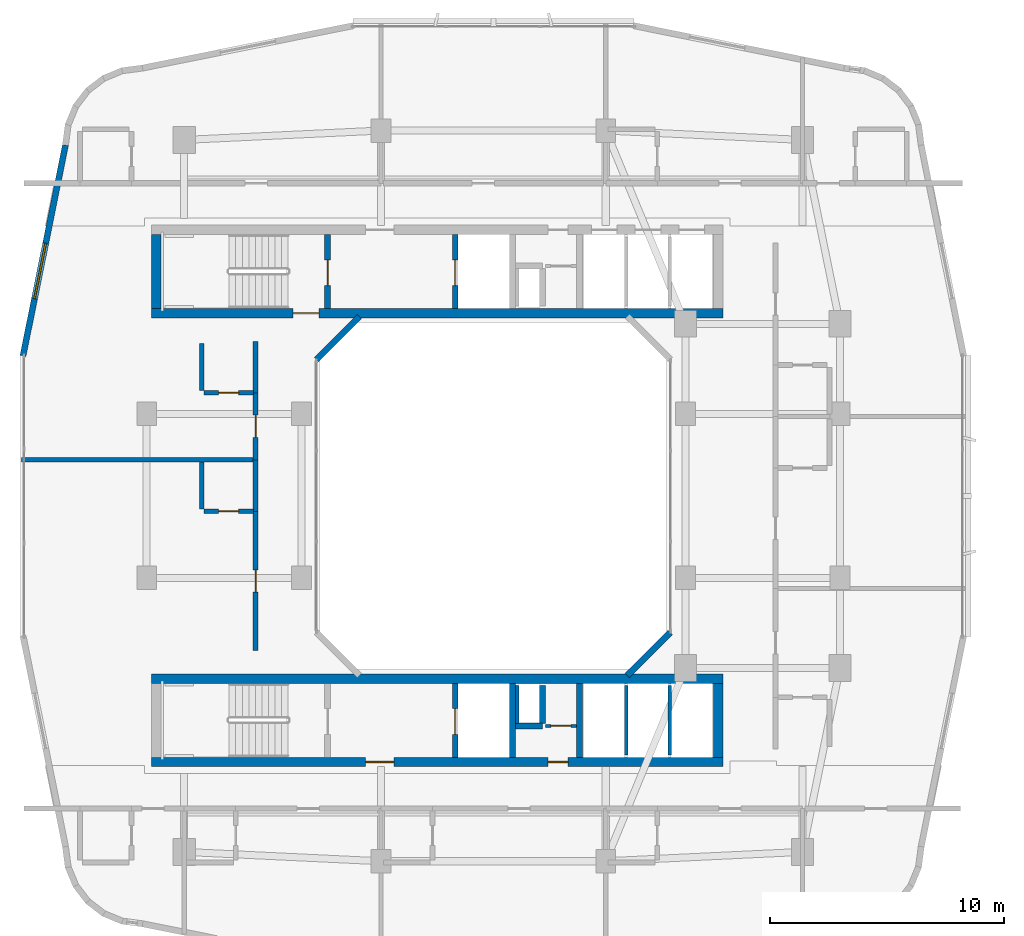
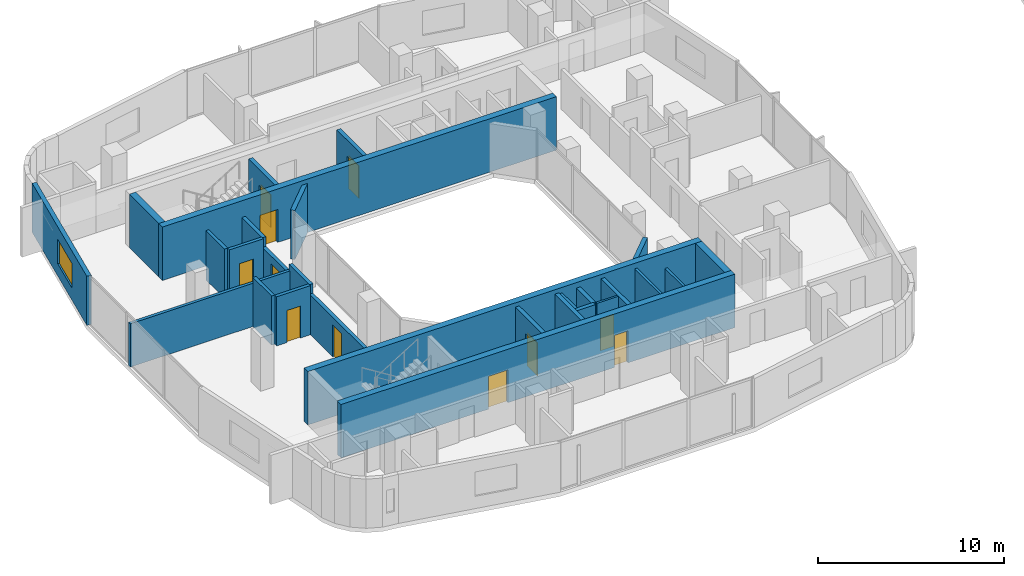
# One storey, part 13 of 26: 28 walls, 11 doors, 1 window, 12 openings.
"""IFC4 building model written with IfcOpenShell, lengths in metres."""

from ifc_helpers import new_model, si_unit, derived_unit, direction, frame, frame_2d, origin, place, context, subcontext, project, spatial, rectangle, extrude, material, layer, layer_set, type_object, element, fill, save


model = new_model("IFC4")

# Units and contexts
model_context = context("Model", 3, precision=1e-05, world=origin(), true_north=direction((0.0, 1.0)))
body_context = subcontext(model_context, "Body", "Model", "MODEL_VIEW")
ifc_project = project(units=[si_unit("LENGTHUNIT", "METRE"), si_unit("AREAUNIT", "SQUARE_METRE"), si_unit("VOLUMEUNIT", "CUBIC_METRE"), si_unit("PLANEANGLEUNIT", "RADIAN"), si_unit("MASSUNIT", "GRAM", prefix="KILO"), derived_unit("THERMALTRANSMITTANCEUNIT", [(si_unit("POWERUNIT", "WATT"), 1), (si_unit("LENGTHUNIT", "METRE"), -2), (si_unit("THERMODYNAMICTEMPERATUREUNIT", "KELVIN"), -1)])], contexts=[model_context])

# Site, building, storey
site_placement = place(None, origin())
site = spatial("IfcSite", under=ifc_project, at=site_placement, CompositionType="ELEMENT")
building_placement = place(site_placement, origin())
building = spatial("IfcBuilding", under=site, at=building_placement, Name="Kivonza Crest Hotel", CompositionType="ELEMENT")
storey_placement = place(building_placement, frame((0.0, 0.0, 98.5)))
storey = spatial("IfcBuildingStorey", under=building, at=storey_placement, Name="L26", CompositionType="ELEMENT", Elevation=98.5)

# Walls
ifc_material_1 = material(Name="High-density acoustic masonry inter-tenancy wall", Category="masonry")
ifc_layer_1 = layer(ifc_material_1, 0.179931640625)
ifc_layer_set_1 = layer_set([ifc_layer_1], Name="High-density acoustic masonry inter-tenancy wall")
wall_type_1 = type_object("IfcWallType", Name="WL-ACOU-180", PredefinedType="SOLIDWALL", material=ifc_layer_set_1)
wall_1_placement = place(storey_placement, frame((0.860107421875, 26.5400390625, 0.0), z_axis=(0.0, 0.0, 1.0), x_axis=(1.0, 0.0, 0.0)))
element("IfcWall", 1, at=wall_1_placement, inside=storey, type_object=wall_type_1, Name="L26 interior partition WA-L26-T1W-DIV1", PredefinedType="SOLIDWALL", context=body_context, shape_type="SweptSolid", body=[
    extrude(rectangle(XDim=9.989990234375, YDim=0.179931640625, at=frame_2d((4.9951171875, 0.0))), origin(), (0.0, 0.0, 1.0), 2.8349609375),
])
ifc_material_2 = material(Name="Autoclaved aerated concrete blockwork", Category="masonry")
ifc_layer_2 = layer(ifc_material_2, 0.219970703125)
ifc_layer_set_2 = layer_set([ifc_layer_2], Name="Autoclaved aerated concrete blockwork")
wall_type_2 = type_object("IfcWallType", Name="WL-ACOU-220", PredefinedType="SOLIDWALL", material=ifc_layer_set_2)
wall_2_placement = place(storey_placement, frame((10.85009765625, 24.340087890625, 0.0), z_axis=(0.0, 0.0, 1.0), x_axis=(0.0, 1.0, 0.0)))
element("IfcWall", 2, at=wall_2_placement, inside=storey, type_object=wall_type_2, Name="L26 interior partition WA-L26-W08-BCORR", PredefinedType="SOLIDWALL", context=body_context, shape_type="SweptSolid", body=[
    extrude(rectangle(XDim=2.199951171875, YDim=0.219970703125, at=frame_2d((1.10009765625, 0.0))), origin(), (0.0, 0.0, 1.0), 3.219970703125),
])

# Wall, opening, door
wall_3_placement = place(storey_placement, frame((10.85009765625, 18.39990234375, 0.0), z_axis=(0.0, 0.0, 1.0), x_axis=(0.0, 1.0, 0.0)))
wall_3 = element("IfcWall", 3, at=wall_3_placement, inside=storey, type_object=wall_type_2, Name="L26 interior partition WA-L26-W08-MCORR", PredefinedType="SOLIDWALL", context=body_context, shape_type="SweptSolid", body=[
    extrude(rectangle(XDim=5.940185546875, YDim=0.219970703125, at=frame_2d((2.97021484375, 0.0))), origin(), (0.0, 0.0, 1.0), 2.594970703125),
])
opening_1_placement = place(wall_3_placement, frame((2.4951171875, 0.0, 0.0)))
opening_1 = element("IfcOpeningElement", 4, at=opening_1_placement, cuts=wall_3, Name="Opening DU-60", PredefinedType="OPENING", context=body_context, shape_type="SweptSolid", body=[
    extrude(rectangle(XDim=0.949951171875, YDim=2.10009765625, at=frame_2d((0.47509765625, 1.050048828125))), frame((0.0, 0.1201171875, 0.0), z_axis=(0.0, -1.0, 0.0), x_axis=(1.0, 0.0, 0.0)), (0.0, 0.0, 1.0), 0.239990234375),
])
ifc_material_3 = material(Name="Hardwood timber oak", Category="wood")
door_type_1 = type_object("IfcDoorType", Name="DR-UNIT-950", OperationType="NOTDEFINED", PredefinedType="DOOR", material=ifc_material_3)
door_1_placement = place(opening_1_placement, origin())
door_1 = element("IfcDoor", 5, at=door_1_placement, inside=storey, type_object=door_type_1, Name="L26 W08 guest unit entrance fire door", OperationType="SINGLE_SWING_RIGHT", OverallHeight=2.10009765625, OverallWidth=0.949951171875, PredefinedType="DOOR", context=body_context, shape_type="SweptSolid", body=[
    extrude(rectangle(XDim=0.949951171875, YDim=2.10009765625, at=frame_2d((0.47509765625, 1.050048828125))), frame((0.0, 0.02490234375, 0.0), z_axis=(0.0, -1.0, 0.0), x_axis=(1.0, 0.0, 0.0)), (0.0, 0.0, 1.0), 0.050048828125),
])
fill(opening_1, door_1)

# Wall
wall_4_placement = place(storey_placement, frame((10.85009765625, 29.39990234375, 0.0), z_axis=(0.0, 0.0, 1.0), x_axis=(0.0, 1.0, 0.0)))
element("IfcWall", 6, at=wall_4_placement, inside=storey, type_object=wall_type_2, Name="L26 interior partition WA-L26-W09-BCORR", PredefinedType="SOLIDWALL", context=body_context, shape_type="SweptSolid", body=[
    extrude(rectangle(XDim=2.2001953125, YDim=0.219970703125, at=frame_2d((1.10009765625, 0.0))), origin(), (0.0, 0.0, 1.0), 3.219970703125),
])

# Wall, opening, door
wall_5_placement = place(storey_placement, frame((10.85009765625, 26.5400390625, 0.0), z_axis=(0.0, 0.0, 1.0), x_axis=(0.0, 1.0, 0.0)))
wall_5 = element("IfcWall", 7, at=wall_5_placement, inside=storey, type_object=wall_type_2, Name="L26 interior partition WA-L26-W09-MCORR", PredefinedType="SOLIDWALL", context=body_context, shape_type="SweptSolid", body=[
    extrude(rectangle(XDim=2.85986328125, YDim=0.219970703125, at=frame_2d((1.429931640625, 0.0))), origin(), (0.0, 0.0, 1.0), 2.594970703125),
])
opening_2_placement = place(wall_5_placement, frame((0.955078125, 0.0, 0.0)))
opening_2 = element("IfcOpeningElement", 8, at=opening_2_placement, cuts=wall_5, Name="Opening DU-60", PredefinedType="OPENING", context=body_context, shape_type="SweptSolid", body=[
    extrude(rectangle(XDim=0.949951171875, YDim=2.10009765625, at=frame_2d((0.47509765625, 1.050048828125))), frame((0.0, 0.1201171875, 0.0), z_axis=(0.0, -1.0, 0.0), x_axis=(1.0, 0.0, 0.0)), (0.0, 0.0, 1.0), 0.239990234375),
])
door_2_placement = place(opening_2_placement, origin())
door_2 = element("IfcDoor", 9, at=door_2_placement, inside=storey, type_object=door_type_1, Name="L26 W09 guest unit entrance fire door", OperationType="SINGLE_SWING_LEFT", OverallHeight=2.10009765625, OverallWidth=0.949951171875, PredefinedType="DOOR", context=body_context, shape_type="SweptSolid", body=[
    extrude(rectangle(XDim=0.949951171875, YDim=2.10009765625, at=frame_2d((0.47509765625, 1.050048828125))), frame((0.0, 0.02490234375, 0.0), z_axis=(0.0, -1.0, 0.0), x_axis=(1.0, 0.0, 0.0)), (0.0, 0.0, 1.0), 0.050048828125),
])
fill(opening_2, door_2)

ifc_material_4 = material(Name="Concrete C50/60", Category="concrete")
ifc_layer_3 = layer(ifc_material_4, 0.39990234375)
ifc_layer_set_3 = layer_set([ifc_layer_3], Name="Concrete C50/60")
wall_type_3 = type_object("IfcWallType", Name="WL-CORE-400", PredefinedType="SHEAR", material=ifc_layer_set_3)
wall_6_placement = place(storey_placement, frame((6.39990234375, 32.800048828125, 0.0), z_axis=(0.0, 0.0, 1.0), x_axis=(1.0, 0.0, 0.0)))
wall_6 = element("IfcWall", 10, at=wall_6_placement, inside=storey, type_object=wall_type_3, Name="Core wall T1-N South L26", PredefinedType="SHEAR", context=body_context, shape_type="SweptSolid", body=[
    extrude(rectangle(XDim=24.400146484375, YDim=0.39990234375, at=frame_2d((12.2001953125, 0.0))), origin(), (0.0, 0.0, 1.0), 3.5),
])
opening_3_placement = place(wall_6_placement, frame((6.050048828125, 0.0, 0.0)))
opening_3 = element("IfcOpeningElement", 11, at=opening_3_placement, cuts=wall_6, Name="Opening DF-120", PredefinedType="OPENING", context=body_context, shape_type="SweptSolid", body=[
    extrude(rectangle(XDim=1.10009765625, YDim=2.14990234375, at=frame_2d((0.550048828125, 1.074951171875))), frame((0.0, 0.2099609375, 0.0), z_axis=(0.0, -1.0, 0.0), x_axis=(1.0, 0.0, 0.0)), (0.0, 0.0, 1.0), 0.419921875),
])
ifc_material_5 = material(Name="Galvanised steel", Category="steel")
door_type_2 = type_object("IfcDoorType", Name="DR-FD120-1100", OperationType="NOTDEFINED", PredefinedType="DOOR", material=ifc_material_5)
door_3_placement = place(opening_3_placement, origin())
door_3 = element("IfcDoor", 12, at=door_3_placement, inside=storey, type_object=door_type_2, Name="L26 West corridor stair access fire door", OperationType="SINGLE_SWING_LEFT", OverallHeight=2.14990234375, OverallWidth=1.10009765625, PredefinedType="DOOR", context=body_context, shape_type="SweptSolid", body=[
    extrude(rectangle(XDim=1.10009765625, YDim=2.14990234375, at=frame_2d((0.550048828125, 1.074951171875))), frame((0.0, 0.02490234375, 0.0), z_axis=(0.0, -1.0, 0.0), x_axis=(1.0, 0.0, 0.0)), (0.0, 0.0, 1.0), 0.050048828125),
])
fill(opening_3, door_3)

# Wall
wall_7_placement = place(storey_placement, frame((6.60009765625, 33.0, 0.0), z_axis=(0.0, 0.0, 1.0), x_axis=(0.0, 1.0, 0.0)))
element("IfcWall", 13, at=wall_7_placement, inside=storey, type_object=wall_type_3, Name="Core wall T1-N West L26", PredefinedType="SHEAR", context=body_context, shape_type="SweptSolid", body=[
    extrude(rectangle(XDim=3.159912109375, YDim=0.39990234375, at=frame_2d((1.580078125, 0.0))), origin(), (0.0, 0.0, 1.0), 3.5),
])

# Wall, openings, doors
wall_8_placement = place(storey_placement, frame((6.39990234375, 13.639892578125, 0.0), z_axis=(0.0, 0.0, 1.0), x_axis=(1.0, 0.0, 0.0)))
wall_8 = element("IfcWall", 14, at=wall_8_placement, inside=storey, type_object=wall_type_3, Name="Core wall T1-S South L26", PredefinedType="SHEAR", context=body_context, shape_type="SweptSolid", body=[
    extrude(rectangle(XDim=24.400146484375, YDim=0.39990234375, at=frame_2d((12.2001953125, 0.0))), origin(), (0.0, 0.0, 1.0), 3.5),
])
opening_4_placement = place(wall_8_placement, frame((9.14990234375, 0.0, 0.0)))
opening_4 = element("IfcOpeningElement", 15, at=opening_4_placement, cuts=wall_8, Name="Opening DF-60", PredefinedType="OPENING", context=body_context, shape_type="SweptSolid", body=[
    extrude(rectangle(XDim=1.199951171875, YDim=2.14990234375, at=frame_2d((0.60009765625, 1.074951171875))), frame((0.0, 0.2099609375, 0.0), z_axis=(0.0, -1.0, 0.0), x_axis=(1.0, 0.0, 0.0)), (0.0, 0.0, 1.0), 0.419921875),
])
opening_5_placement = place(wall_8_placement, frame((16.93994140625, 0.0, 0.0)))
opening_5 = element("IfcOpeningElement", 16, at=opening_5_placement, cuts=wall_8, Name="Opening DF-60R", PredefinedType="OPENING", context=body_context, shape_type="SweptSolid", body=[
    extrude(rectangle(XDim=0.85009765625, YDim=2.10009765625, at=frame_2d((0.425048828125, 1.050048828125))), frame((0.0, 0.2099609375, 0.0), z_axis=(0.0, -1.0, 0.0), x_axis=(1.0, 0.0, 0.0)), (0.0, 0.0, 1.0), 0.419921875),
])
door_type_3 = type_object("IfcDoorType", Name="DR-FD60-1200", OperationType="NOTDEFINED", PredefinedType="DOOR", material=ifc_material_3)
door_4_placement = place(opening_4_placement, frame((1.199951171875, 0.0, 0.0), z_axis=(0.0, 0.0, 1.0), x_axis=(-1.0, 0.0, 0.0)))
door_4 = element("IfcDoor", 17, at=door_4_placement, inside=storey, type_object=door_type_3, Name="L26 T1-S firefighting lobby fire door", OperationType="SINGLE_SWING_LEFT", OverallHeight=2.14990234375, OverallWidth=1.199951171875, PredefinedType="DOOR", context=body_context, shape_type="SweptSolid", body=[
    extrude(rectangle(XDim=1.199951171875, YDim=2.14990234375, at=frame_2d((0.60009765625, 1.074951171875))), frame((0.0, 0.02490234375, 0.0), z_axis=(0.0, -1.0, 0.0), x_axis=(1.0, 0.0, 0.0)), (0.0, 0.0, 1.0), 0.050048828125),
])
fill(opening_4, door_4)
door_type_4 = type_object("IfcDoorType", Name="DR-FD60-850", OperationType="NOTDEFINED", PredefinedType="DOOR", material=ifc_material_3)
door_5_placement = place(opening_5_placement, frame((0.85009765625, 0.0, 0.0), z_axis=(0.0, 0.0, 1.0), x_axis=(-1.0, 0.0, 0.0)))
door_5 = element("IfcDoor", 18, at=door_5_placement, inside=storey, type_object=door_type_4, Name="L26 T1-S core room door", OperationType="SINGLE_SWING_RIGHT", OverallHeight=2.10009765625, OverallWidth=0.85009765625, PredefinedType="DOOR", context=body_context, shape_type="SweptSolid", body=[
    extrude(rectangle(XDim=0.85009765625, YDim=2.10009765625, at=frame_2d((0.425048828125, 1.050048828125))), frame((0.0, 0.02490234375, 0.0), z_axis=(0.0, -1.0, 0.0), x_axis=(1.0, 0.0, 0.0)), (0.0, 0.0, 1.0), 0.050048828125),
])
fill(opening_5, door_5)

# Walls
wall_9_placement = place(storey_placement, frame((6.39990234375, 17.199951171875, 0.0), z_axis=(0.0, 0.0, 1.0), x_axis=(1.0, 0.0, 0.0)))
element("IfcWall", 19, at=wall_9_placement, inside=storey, type_object=wall_type_3, Name="Core wall T1-S North L26", PredefinedType="SHEAR", context=body_context, shape_type="SweptSolid", body=[
    extrude(rectangle(XDim=24.400146484375, YDim=0.39990234375, at=frame_2d((12.2001953125, 0.0))), origin(), (0.0, 0.0, 1.0), 3.5),
])
wall_10_placement = place(storey_placement, frame((30.60009765625, 13.840087890625, 0.0), z_axis=(0.0, 0.0, 1.0), x_axis=(0.0, 1.0, 0.0)))
element("IfcWall", 20, at=wall_10_placement, inside=storey, type_object=wall_type_3, Name="Core wall T1-S East L26", PredefinedType="SHEAR", context=body_context, shape_type="SweptSolid", body=[
    extrude(rectangle(XDim=3.159912109375, YDim=0.39990234375, at=frame_2d((1.580078125, 0.0))), origin(), (0.0, 0.0, 1.0), 3.5),
])

# Wall, opening, window
ifc_material_6 = material(Name="Precast concrete C40/50", Category="concrete")
ifc_layer_4 = layer(ifc_material_6, 0.260009765625)
ifc_layer_set_4 = layer_set([ifc_layer_4], Name="Precast concrete C40/50")
wall_type_4 = type_object("IfcWallType", Name="WL-EXT-260", PredefinedType="STANDARD", material=ifc_layer_set_4)
wall_11_placement = place(storey_placement, frame((2.72900390625, 39.98193359375, 0.0), z_axis=(0.0, 0.0, 1.0), x_axis=(-0.197435082048, -0.980315963543, 0.0)))
wall_11 = element("IfcWall", 21, at=wall_11_placement, inside=storey, type_object=wall_type_4, Name="L26 T1 exterior insulated wall 34", PredefinedType="STANDARD", context=body_context, shape_type="SweptSolid", body=[
    extrude(rectangle(XDim=9.1826171875, YDim=0.260009765625, at=frame_2d((4.59130859375, 0.0))), origin(), (0.0, 0.0, 1.0), 3.219970703125),
])
opening_6_placement = place(wall_11_placement, frame((4.285888671875, 0.0, 0.800048828125)))
opening_6 = element("IfcOpeningElement", 22, at=opening_6_placement, cuts=wall_11, Name="Opening WN-05", PredefinedType="OPENING", context=body_context, shape_type="SweptSolid", body=[
    extrude(rectangle(XDim=2.39990234375, YDim=1.60009765625, at=frame_2d((1.199951171875, 0.800048828125))), frame((0.0, 0.14013671875, 0.0), z_axis=(0.0, -1.0, 0.0), x_axis=(1.0, 0.0, 0.0)), (0.0, 0.0, 1.0), 0.280029296875),
])
ifc_material_7 = material(Name="Thermally broken bronze aluminium and low-E double glazing", Category="aluminium")
window_type = type_object("IfcWindowType", Name="WN-240x160", PartitioningType="TRIPLE_PANEL_VERTICAL", PredefinedType="WINDOW", material=ifc_material_7)
window_placement = place(opening_6_placement, origin())
window = element("IfcWindow", 23, at=window_placement, inside=storey, type_object=window_type, Name="L26 T1 facade window 34", OverallHeight=1.60009765625, OverallWidth=2.39990234375, PartitioningType="SINGLE_PANEL", PredefinedType="WINDOW", context=body_context, shape_type="SweptSolid", body=[
    extrude(rectangle(XDim=2.39990234375, YDim=1.60009765625, at=frame_2d((1.199951171875, 0.800048828125))), frame((0.0, 0.030029296875, 0.0), z_axis=(0.0, -1.0, 0.0), x_axis=(1.0, 0.0, 0.0)), (0.0, 0.0, 1.0), 0.06005859375),
])
fill(opening_6, window)

# Walls
for number, where, z_axis, x_axis, name in (
    (24, (26.721923828125, 17.337890625, 0.0), (0.0, 0.0, 1.0), (0.707059717605, 0.707153841636, 0.0), "L26 T1 light-well exterior wall 2"),
    (25, (15.278076171875, 32.662109375, 0.0), (0.0, 0.0, 1.0), (-0.707059717605, -0.707153841636, 0.0), "L26 T1 light-well exterior wall 6"),
):
    element("IfcWall", number, at=place(storey_placement, frame(where, z_axis=z_axis, x_axis=x_axis)), inside=storey, type_object=wall_type_4, Name=name, PredefinedType="STANDARD", context=body_context, shape_type="SweptSolid", body=[
        extrude(rectangle(XDim=2.59375, YDim=0.260009765625, at=frame_2d((1.296875, 0.0))), origin(), (0.0, 0.0, 1.0), 3.219970703125),
    ])
ifc_material_8 = material(Name="Concrete blockwork fire-compartment wall", Category="masonry")
ifc_layer_5 = layer(ifc_material_8, 0.25)
ifc_layer_set_5 = layer_set([ifc_layer_5], Name="Concrete blockwork fire-compartment wall")
wall_type_5 = type_object("IfcWallType", Name="WL-FIRE-250", PredefinedType="SOLIDWALL", material=ifc_layer_set_5)
wall_12_placement = place(storey_placement, frame((23.10009765625, 15.280029296875, 0.0), z_axis=(0.0, 0.0, 1.0), x_axis=(0.0, 1.0, 0.0)))
element("IfcWall", 26, at=wall_12_placement, inside=storey, type_object=wall_type_5, Name="L26 interior partition WA-L26-T1-S-MEPR-E", PredefinedType="SOLIDWALL", context=body_context, shape_type="SweptSolid", body=[
    extrude(rectangle(XDim=1.619873046875, YDim=0.25, at=frame_2d((0.81005859375, 0.0))), origin(), (0.0, 0.0, 1.0), 3.219970703125),
])
wall_13_placement = place(storey_placement, frame((21.949951171875, 15.179931640625, 0.0), z_axis=(0.0, 0.0, 1.0), x_axis=(1.0, 0.0, 0.0)))
element("IfcWall", 27, at=wall_13_placement, inside=storey, type_object=wall_type_5, Name="L26 interior partition WA-L26-T1-S-MEPR-H", PredefinedType="SOLIDWALL", context=body_context, shape_type="SweptSolid", body=[
    extrude(rectangle(XDim=1.150146484375, YDim=0.25, at=frame_2d((0.5751953125, 0.0))), origin(), (0.0, 0.0, 1.0), 3.219970703125),
])

# Wall, opening, door
ifc_material_9 = material(Name="Metal-stud gypsum board partition", Category="gypsum")
ifc_layer_6 = layer(ifc_material_9, 0.125)
ifc_layer_set_6 = layer_set([ifc_layer_6], Name="Metal-stud gypsum board partition")
wall_type_6 = type_object("IfcWallType", Name="WL-PART-125", PredefinedType="PARTITIONING", material=ifc_layer_set_6)
wall_14_placement = place(storey_placement, frame((23.219970703125, 15.179931640625, 0.0), z_axis=(0.0, 0.0, 1.0), x_axis=(1.0, 0.0, 0.0)))
wall_14 = element("IfcWall", 28, at=wall_14_placement, inside=storey, type_object=wall_type_6, Name="L26 interior partition WP-L26-T1-S-SV3H", PredefinedType="PARTITIONING", context=body_context, shape_type="SweptSolid", body=[
    extrude(rectangle(XDim=1.330078125, YDim=0.125, at=frame_2d((0.6650390625, 0.0))), origin(), (0.0, 0.0, 1.0), 3.219970703125),
])
opening_7_placement = place(wall_14_placement, frame((0.239990234375, 0.0, 0.0)))
opening_7 = element("IfcOpeningElement", 29, at=opening_7_placement, cuts=wall_14, Name="Opening DI-85", PredefinedType="OPENING", context=body_context, shape_type="SweptSolid", body=[
    extrude(rectangle(XDim=0.85009765625, YDim=2.10009765625, at=frame_2d((0.425048828125, 1.050048828125))), frame((0.0, 0.072509765625, 0.0), z_axis=(0.0, -1.0, 0.0), x_axis=(1.0, 0.0, 0.0)), (0.0, 0.0, 1.0), 0.14501953125),
])
door_type_5 = type_object("IfcDoorType", Name="DR-INT-850", OperationType="NOTDEFINED", PredefinedType="DOOR", material=ifc_material_3)
door_6_placement = place(opening_7_placement, origin())
door_6 = element("IfcDoor", 30, at=door_6_placement, inside=storey, type_object=door_type_5, Name="L26 T1-S inner manifold door", OperationType="SINGLE_SWING_LEFT", OverallHeight=2.10009765625, OverallWidth=0.85009765625, PredefinedType="DOOR", context=body_context, shape_type="SweptSolid", body=[
    extrude(rectangle(XDim=0.85009765625, YDim=2.10009765625, at=frame_2d((0.425048828125, 1.050048828125))), frame((0.0, 0.02490234375, 0.0), z_axis=(0.0, -1.0, 0.0), x_axis=(1.0, 0.0, 0.0)), (0.0, 0.0, 1.0), 0.050048828125),
])
fill(opening_7, door_6)

# Walls
ifc_material_10 = material(Name="Twin-stud acoustic gypsum board partition", Category="gypsum")
ifc_layer_7 = layer(ifc_material_10, 0.14990234375)
ifc_layer_set_7 = layer_set([ifc_layer_7], Name="Twin-stud acoustic gypsum board partition")
wall_type_7 = type_object("IfcWallType", Name="WL-PART-150", PredefinedType="PARTITIONING", material=ifc_layer_set_7)
wall_15_placement = place(storey_placement, frame((22.030029296875, 15.280029296875, 0.0), z_axis=(0.0, 0.0, 1.0), x_axis=(0.0, 1.0, 0.0)))
element("IfcWall", 31, at=wall_15_placement, inside=storey, type_object=wall_type_7, Name="L26 interior partition WA-L26-T1-S-MEPR-W", PredefinedType="PARTITIONING", context=body_context, shape_type="SweptSolid", body=[
    extrude(rectangle(XDim=1.619873046875, YDim=0.14990234375, at=frame_2d((0.81005859375, 0.0))), origin(), (0.0, 0.0, 1.0), 3.219970703125),
])
wall_16_placement = place(storey_placement, frame((26.6669921875, 13.93994140625, 0.0), z_axis=(0.0, 0.0, 1.0), x_axis=(0.0, 1.0, 0.0)))
element("IfcWall", 32, at=wall_16_placement, inside=storey, type_object=wall_type_7, Name="L26 interior partition WP-L26-T1-S-BSH-1", PredefinedType="PARTITIONING", context=body_context, shape_type="SweptSolid", body=[
    extrude(rectangle(XDim=2.9599609375, YDim=0.14990234375, at=frame_2d((1.47998046875, 0.0))), origin(), (0.0, 0.0, 1.0), 3.219970703125),
])
wall_17_placement = place(storey_placement, frame((28.532958984375, 13.93994140625, 0.0), z_axis=(0.0, 0.0, 1.0), x_axis=(0.0, 1.0, 0.0)))
element("IfcWall", 33, at=wall_17_placement, inside=storey, type_object=wall_type_7, Name="L26 interior partition WP-L26-T1-S-BSH-2", PredefinedType="PARTITIONING", context=body_context, shape_type="SweptSolid", body=[
    extrude(rectangle(XDim=2.9599609375, YDim=0.14990234375, at=frame_2d((1.47998046875, 0.0))), origin(), (0.0, 0.0, 1.0), 2.594970703125),
])

# Wall, opening, door
ifc_material_11 = material(Name="Moisture-resistant plumbing chase partition wall", Category="gypsum")
ifc_layer_8 = layer(ifc_material_11, 0.199951171875)
ifc_layer_set_8 = layer_set([ifc_layer_8], Name="Moisture-resistant plumbing chase partition wall")
wall_type_8 = type_object("IfcWallType", Name="WL-PLUMB-200", PredefinedType="PLUMBINGWALL", material=ifc_layer_set_8)
wall_18_placement = place(storey_placement, frame((8.64990234375, 24.340087890625, 0.0), z_axis=(0.0, 0.0, 1.0), x_axis=(1.0, 0.0, 0.0)))
wall_18 = element("IfcWall", 34, at=wall_18_placement, inside=storey, type_object=wall_type_8, Name="L26 interior partition WW-L26-W08-BH", PredefinedType="PLUMBINGWALL", context=body_context, shape_type="SweptSolid", body=[
    extrude(rectangle(XDim=2.10009765625, YDim=0.199951171875, at=frame_2d((1.050048828125, 0.0))), origin(), (0.0, 0.0, 1.0), 3.219970703125),
])
opening_8_placement = place(wall_18_placement, frame((0.625, 0.0, 0.0)))
opening_8 = element("IfcOpeningElement", 35, at=opening_8_placement, cuts=wall_18, Name="Opening DI-85", PredefinedType="OPENING", context=body_context, shape_type="SweptSolid", body=[
    extrude(rectangle(XDim=0.85009765625, YDim=2.10009765625, at=frame_2d((0.425048828125, 1.050048828125))), frame((0.0, 0.10986328125, 0.0), z_axis=(0.0, -1.0, 0.0), x_axis=(1.0, 0.0, 0.0)), (0.0, 0.0, 1.0), 0.219970703125),
])
door_7_placement = place(opening_8_placement, frame((0.85009765625, 0.0, 0.0), z_axis=(0.0, 0.0, 1.0), x_axis=(-1.0, 0.0, 0.0)))
door_7 = element("IfcDoor", 36, at=door_7_placement, inside=storey, type_object=door_type_5, Name="L26 W08 en-suite bathroom door", OperationType="SINGLE_SWING_LEFT", OverallHeight=2.10009765625, OverallWidth=0.85009765625, PredefinedType="DOOR", context=body_context, shape_type="SweptSolid", body=[
    extrude(rectangle(XDim=0.85009765625, YDim=2.10009765625, at=frame_2d((0.425048828125, 1.050048828125))), frame((0.0, 0.02490234375, 0.0), z_axis=(0.0, -1.0, 0.0), x_axis=(1.0, 0.0, 0.0)), (0.0, 0.0, 1.0), 0.050048828125),
])
fill(opening_8, door_7)

# Wall
wall_19_placement = place(storey_placement, frame((8.550048828125, 24.43994140625, 0.0), z_axis=(0.0, 0.0, 1.0), x_axis=(0.0, 1.0, 0.0)))
element("IfcWall", 37, at=wall_19_placement, inside=storey, type_object=wall_type_8, Name="L26 interior partition WW-L26-W08-BV", PredefinedType="PLUMBINGWALL", context=body_context, shape_type="SweptSolid", body=[
    extrude(rectangle(XDim=2.0, YDim=0.199951171875, at=frame_2d((1.0, 0.0))), origin(), (0.0, 0.0, 1.0), 3.219970703125),
])

# Wall, opening, door
wall_20_placement = place(storey_placement, frame((8.64990234375, 29.39990234375, 0.0), z_axis=(0.0, 0.0, 1.0), x_axis=(1.0, 0.0, 0.0)))
wall_20 = element("IfcWall", 38, at=wall_20_placement, inside=storey, type_object=wall_type_8, Name="L26 interior partition WW-L26-W09-BH", PredefinedType="PLUMBINGWALL", context=body_context, shape_type="SweptSolid", body=[
    extrude(rectangle(XDim=2.10009765625, YDim=0.199951171875, at=frame_2d((1.050048828125, 0.0))), origin(), (0.0, 0.0, 1.0), 3.219970703125),
])
opening_9_placement = place(wall_20_placement, frame((0.625, 0.0, 0.0)))
opening_9 = element("IfcOpeningElement", 39, at=opening_9_placement, cuts=wall_20, Name="Opening DI-85", PredefinedType="OPENING", context=body_context, shape_type="SweptSolid", body=[
    extrude(rectangle(XDim=0.85009765625, YDim=2.10009765625, at=frame_2d((0.425048828125, 1.050048828125))), frame((0.0, 0.10986328125, 0.0), z_axis=(0.0, -1.0, 0.0), x_axis=(1.0, 0.0, 0.0)), (0.0, 0.0, 1.0), 0.219970703125),
])
door_8_placement = place(opening_9_placement, frame((0.85009765625, 0.0, 0.0), z_axis=(0.0, 0.0, 1.0), x_axis=(-1.0, 0.0, 0.0)))
door_8 = element("IfcDoor", 40, at=door_8_placement, inside=storey, type_object=door_type_5, Name="L26 W09 en-suite bathroom door", OperationType="SINGLE_SWING_RIGHT", OverallHeight=2.10009765625, OverallWidth=0.85009765625, PredefinedType="DOOR", context=body_context, shape_type="SweptSolid", body=[
    extrude(rectangle(XDim=0.85009765625, YDim=2.10009765625, at=frame_2d((0.425048828125, 1.050048828125))), frame((0.0, 0.02490234375, 0.0), z_axis=(0.0, -1.0, 0.0), x_axis=(1.0, 0.0, 0.0)), (0.0, 0.0, 1.0), 0.050048828125),
])
fill(opening_9, door_8)

# Wall
wall_21_placement = place(storey_placement, frame((8.550048828125, 29.5, 0.0), z_axis=(0.0, 0.0, 1.0), x_axis=(0.0, 1.0, 0.0)))
element("IfcWall", 41, at=wall_21_placement, inside=storey, type_object=wall_type_8, Name="L26 interior partition WW-L26-W09-BV", PredefinedType="PLUMBINGWALL", context=body_context, shape_type="SweptSolid", body=[
    extrude(rectangle(XDim=2.0, YDim=0.199951171875, at=frame_2d((1.0, 0.0))), origin(), (0.0, 0.0, 1.0), 3.219970703125),
])

# Wall, opening, door
ifc_layer_9 = layer(ifc_material_4, 0.25)
ifc_layer_set_9 = layer_set([ifc_layer_9], Name="Concrete C50/60")
wall_type_9 = type_object("IfcWallType", Name="WL-SHAFT-250", PredefinedType="STANDARD", material=ifc_layer_set_9)
wall_22_placement = place(storey_placement, frame((13.925048828125, 33.0, 0.0), z_axis=(0.0, 0.0, 1.0), x_axis=(0.0, 1.0, 0.0)))
wall_22 = element("IfcWall", 42, at=wall_22_placement, inside=storey, type_object=wall_type_9, Name="Core shaft wall T1-N STAIR L26", PredefinedType="STANDARD", context=body_context, shape_type="SweptSolid", body=[
    extrude(rectangle(XDim=3.159912109375, YDim=0.25, at=frame_2d((1.580078125, 0.0))), origin(), (0.0, 0.0, 1.0), 3.219970703125),
])
opening_10_placement = place(wall_22_placement, frame((0.97998046875, 0.0, 0.0)))
opening_10 = element("IfcOpeningElement", 43, at=opening_10_placement, cuts=wall_22, Name="Opening DF-120", PredefinedType="OPENING", context=body_context, shape_type="SweptSolid", body=[
    extrude(rectangle(XDim=1.10009765625, YDim=2.14990234375, at=frame_2d((0.550048828125, 1.074951171875))), frame((0.0, 0.135009765625, 0.0), z_axis=(0.0, -1.0, 0.0), x_axis=(1.0, 0.0, 0.0)), (0.0, 0.0, 1.0), 0.27001953125),
])
door_9_placement = place(opening_10_placement, frame((1.10009765625, 0.0, 0.0), z_axis=(0.0, 0.0, 1.0), x_axis=(-1.0, 0.0, 0.0)))
door_9 = element("IfcDoor", 44, at=door_9_placement, inside=storey, type_object=door_type_2, Name="L26 T1-N stair fire door", OperationType="SINGLE_SWING_LEFT", OverallHeight=2.14990234375, OverallWidth=1.10009765625, PredefinedType="DOOR", context=body_context, shape_type="SweptSolid", body=[
    extrude(rectangle(XDim=1.10009765625, YDim=2.14990234375, at=frame_2d((0.550048828125, 1.074951171875))), frame((0.0, 0.02490234375, 0.0), z_axis=(0.0, -1.0, 0.0), x_axis=(1.0, 0.0, 0.0)), (0.0, 0.0, 1.0), 0.050048828125),
])
fill(opening_10, door_9)

wall_23_placement = place(storey_placement, frame((19.375, 33.0, 0.0), z_axis=(0.0, 0.0, 1.0), x_axis=(0.0, 1.0, 0.0)))
wall_23 = element("IfcWall", 45, at=wall_23_placement, inside=storey, type_object=wall_type_9, Name="Core shaft wall T1-N FFL-W L26", PredefinedType="STANDARD", context=body_context, shape_type="SweptSolid", body=[
    extrude(rectangle(XDim=3.159912109375, YDim=0.25, at=frame_2d((1.580078125, 0.0))), origin(), (0.0, 0.0, 1.0), 3.219970703125),
])
opening_11_placement = place(wall_23_placement, frame((0.97998046875, 0.0, 0.0)))
opening_11 = element("IfcOpeningElement", 46, at=opening_11_placement, cuts=wall_23, Name="Opening LD-120", PredefinedType="OPENING", context=body_context, shape_type="SweptSolid", body=[
    extrude(rectangle(XDim=1.10009765625, YDim=2.14990234375, at=frame_2d((0.550048828125, 1.074951171875))), frame((0.0, 0.135009765625, 0.0), z_axis=(0.0, -1.0, 0.0), x_axis=(1.0, 0.0, 0.0)), (0.0, 0.0, 1.0), 0.27001953125),
])
ifc_material_12 = material(Name="Stainless steel", Category="steel")
door_type_6 = type_object("IfcDoorType", Name="DR-LD120-1100", OperationType="NOTDEFINED", PredefinedType="DOOR", material=ifc_material_12)
door_10_placement = place(opening_11_placement, origin())
door_10 = element("IfcDoor", 47, at=door_10_placement, inside=storey, type_object=door_type_6, Name="L26 FFL-T1-N firefighting lift sliding landing door", OperationType="DOUBLE_DOOR_SLIDING", OverallHeight=2.14990234375, OverallWidth=1.10009765625, PredefinedType="DOOR", context=body_context, shape_type="SweptSolid", body=[
    extrude(rectangle(XDim=1.10009765625, YDim=2.14990234375, at=frame_2d((0.550048828125, 1.074951171875))), frame((0.0, 0.02490234375, 0.0), z_axis=(0.0, -1.0, 0.0), x_axis=(1.0, 0.0, 0.0)), (0.0, 0.0, 1.0), 0.050048828125),
])
fill(opening_11, door_10)

wall_24_placement = place(storey_placement, frame((19.375, 13.840087890625, 0.0), z_axis=(0.0, 0.0, 1.0), x_axis=(0.0, 1.0, 0.0)))
wall_24 = element("IfcWall", 48, at=wall_24_placement, inside=storey, type_object=wall_type_9, Name="Core shaft wall T1-S FFL-W L26", PredefinedType="STANDARD", context=body_context, shape_type="SweptSolid", body=[
    extrude(rectangle(XDim=3.159912109375, YDim=0.25, at=frame_2d((1.580078125, 0.0))), origin(), (0.0, 0.0, 1.0), 3.219970703125),
])
opening_12_placement = place(wall_24_placement, frame((0.97998046875, 0.0, 0.0)))
opening_12 = element("IfcOpeningElement", 49, at=opening_12_placement, cuts=wall_24, Name="Opening LD-120", PredefinedType="OPENING", context=body_context, shape_type="SweptSolid", body=[
    extrude(rectangle(XDim=1.10009765625, YDim=2.14990234375, at=frame_2d((0.550048828125, 1.074951171875))), frame((0.0, 0.135009765625, 0.0), z_axis=(0.0, -1.0, 0.0), x_axis=(1.0, 0.0, 0.0)), (0.0, 0.0, 1.0), 0.27001953125),
])
door_11_placement = place(opening_12_placement, origin())
door_11 = element("IfcDoor", 50, at=door_11_placement, inside=storey, type_object=door_type_6, Name="L26 FFL-T1-S firefighting lift sliding landing door", OperationType="DOUBLE_DOOR_SLIDING", OverallHeight=2.14990234375, OverallWidth=1.10009765625, PredefinedType="DOOR", context=body_context, shape_type="SweptSolid", body=[
    extrude(rectangle(XDim=1.10009765625, YDim=2.14990234375, at=frame_2d((0.550048828125, 1.074951171875))), frame((0.0, 0.02490234375, 0.0), z_axis=(0.0, -1.0, 0.0), x_axis=(1.0, 0.0, 0.0)), (0.0, 0.0, 1.0), 0.050048828125),
])
fill(opening_12, door_11)

# Walls
for number, where, z_axis, x_axis, name in (
    (51, (21.824951171875, 13.840087890625, 0.0), (0.0, 0.0, 1.0), (0.0, 1.0, 0.0), "Core shaft wall T1-S FFL-E L26"),
    (52, (24.675048828125, 13.840087890625, 0.0), (0.0, 0.0, 1.0), (0.0, 1.0, 0.0), "Core shaft wall T1-S BANK-W L26"),
):
    element("IfcWall", number, at=place(storey_placement, frame(where, z_axis=z_axis, x_axis=x_axis)), inside=storey, type_object=wall_type_9, Name=name, PredefinedType="STANDARD", context=body_context, shape_type="SweptSolid", body=[
        extrude(rectangle(XDim=3.159912109375, YDim=0.25, at=frame_2d((1.580078125, 0.0))), origin(), (0.0, 0.0, 1.0), 3.219970703125),
    ])

save(model, "model.ifc")
